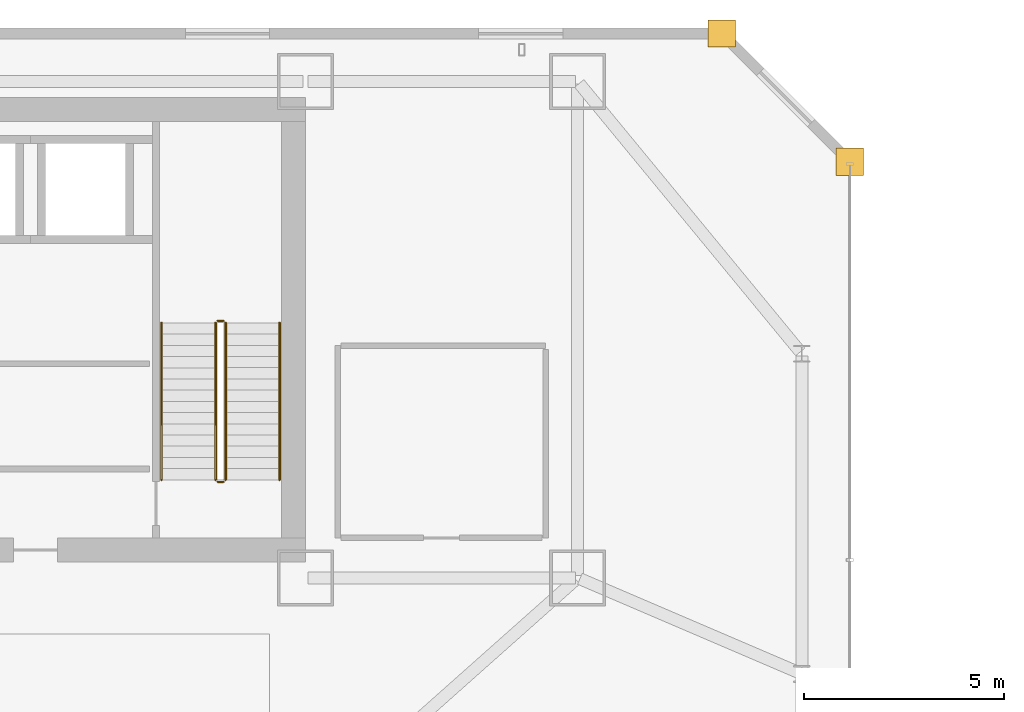
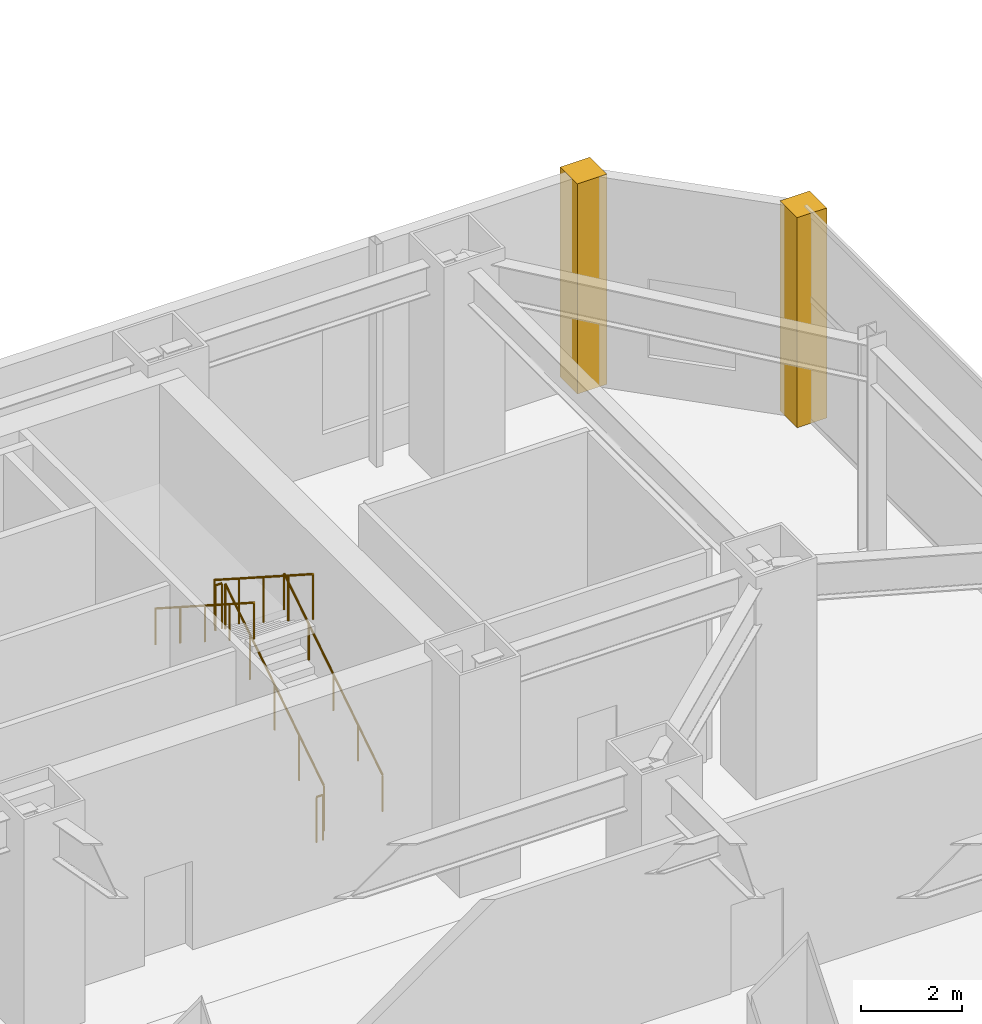
# One storey, part 48 of 51: 6 railings, 2 coverings.
"""IFC4 building model written with IfcOpenShell, lengths in metres."""

import ifcopenshell
import ifcopenshell.guid

model = None  # the IFC model being written
_history = None  # IfcOwnerHistory: only IFC2X3 demands one
_inside = {}  # id of a spatial element -> (the spatial element, [elements in it])
_under = {}  # id of a project, library or spatial element -> (it, [spatial elements below it])
_declared = {}  # id of a project -> (the project, [libraries it declares])
_typed = {}  # id of a type object -> (the type object, [elements of that type])
_made_of = {}  # id of a material, layer set ... -> (it, [elements and type objects made of it])


def new_model(schema):
    """Start an empty IFC model of exactly this schema.

    Asked for "IFC4X3", IfcOpenShell would pick the latest addendum, in which some entities
    have other attributes; the version numbers below select the first issue.
    IFC2X3 requires an IfcOwnerHistory on every rooted entity: one is made here for all.
    """
    global model, _history
    if schema == "IFC4X3":
        model = ifcopenshell.file(schema_version=(4, 3, 0, 0))
    else:
        model = ifcopenshell.file(schema=schema)
    _inside.clear()
    _under.clear()
    _declared.clear()
    _typed.clear()
    _made_of.clear()
    _history = None
    if model.schema == "IFC2X3":
        org = make("IfcOrganization", Name="unknown")
        user = make(
            "IfcPersonAndOrganization",
            ThePerson=make("IfcPerson", FamilyName="unknown"),
            TheOrganization=org,
        )
        app = make(
            "IfcApplication",
            ApplicationDeveloper=org,
            Version="unknown",
            ApplicationFullName="unknown",
            ApplicationIdentifier="unknown",
        )
        _history = make(
            "IfcOwnerHistory",
            OwningUser=user,
            OwningApplication=app,
            ChangeAction="ADDED",
            CreationDate=0,
        )
    return model


def make(cls, **values):
    """One entity of the class cls with the attributes given. An attribute that is None is left unset."""
    return model.create_entity(
        cls, **{name: value for name, value in values.items() if value is not None}
    )


def rooted(cls, **values):
    """An entity with a GlobalId (a new one), such as an element, a storey or a relation."""
    return make(cls, GlobalId=ifcopenshell.guid.new(), OwnerHistory=_history, **values)


def si_unit(unit_type, name, prefix=None):
    """IfcSIUnit, for example si_unit("LENGTHUNIT", "METRE", prefix="MILLI")."""
    return make("IfcSIUnit", UnitType=unit_type, Prefix=prefix, Name=name)


def assignment(units):
    """IfcUnitAssignment: the units of a project."""
    return None if units is None else make("IfcUnitAssignment", Units=units)


def point(xyz):
    """IfcCartesianPoint."""
    return None if xyz is None else make("IfcCartesianPoint", Coordinates=xyz)


def direction(xyz):
    """IfcDirection."""
    return None if xyz is None else make("IfcDirection", DirectionRatios=xyz)


def frame(location, z_axis=None, x_axis=None):
    """IfcAxis2Placement3D, a coordinate frame: its origin and axes. An axis left out is left unset."""
    return make(
        "IfcAxis2Placement3D",
        Location=point(location),
        Axis=direction(z_axis),
        RefDirection=direction(x_axis),
    )


def frame_2d(location, x_axis=None):
    """IfcAxis2Placement2D, a coordinate frame in the plane: its origin and x axis."""
    return make(
        "IfcAxis2Placement2D", Location=point(location), RefDirection=direction(x_axis)
    )


def origin():
    """The frame at (0, 0, 0) with its axes left unset."""
    return frame((0.0, 0.0, 0.0))


def origin_2d():
    """The frame at (0, 0) in the plane with its x axis left unset."""
    return frame_2d((0.0, 0.0))


def place(relative_to, where):
    """IfcLocalPlacement: puts the frame where relative to a parent placement (None: the world)."""
    return make(
        "IfcLocalPlacement", PlacementRelTo=relative_to, RelativePlacement=where
    )


def context(
    kind, dimensions, precision=None, world=None, true_north=None, identifier=None
):
    """IfcGeometricRepresentationContext, for example the 3D "Model" context."""
    return make(
        "IfcGeometricRepresentationContext",
        ContextIdentifier=identifier,
        ContextType=kind,
        CoordinateSpaceDimension=dimensions,
        Precision=precision,
        WorldCoordinateSystem=world,
        TrueNorth=true_north,
    )


def subcontext(parent, identifier, kind, view, scale=None):
    """IfcGeometricRepresentationSubContext, for example "Body" below "Model"."""
    return make(
        "IfcGeometricRepresentationSubContext",
        ContextIdentifier=identifier,
        ContextType=kind,
        ParentContext=parent,
        TargetScale=scale,
        TargetView=view,
    )


def project(units=None, contexts=None):
    """IfcProject with its units and contexts."""
    return rooted(
        "IfcProject",
        Name="project",
        RepresentationContexts=contexts,
        UnitsInContext=assignment(units),
    )


def spatial(cls, under=None, at=None, **own):
    """A site, building, storey or space (cls), placed at a placement, below another one or the project."""
    s = rooted(cls, ObjectPlacement=at, **own)
    if under is not None:
        _under.setdefault(under.id(), (under, []))[1].append(s)
    return s


def polyline(points):
    """IfcPolyline through the points."""
    return make("IfcPolyline", Points=[point(p) for p in points])


def profile(cls, at=None, kind="AREA", **sizes):
    """A parametric profile (cls). Its sizes go by their IFC names, for example OverallWidth=200.0."""
    return make(cls, ProfileType=kind, Position=at, **sizes)


def circle(**sizes):
    """IfcCircleProfileDef."""
    return profile("IfcCircleProfileDef", **sizes)


def outline(outer, holes=None, kind="AREA"):
    """IfcArbitraryClosedProfileDef: a profile drawn as a closed curve; with holes, ...WithVoids."""
    if holes is None:
        return make("IfcArbitraryClosedProfileDef", ProfileType=kind, OuterCurve=outer)
    return make(
        "IfcArbitraryProfileDefWithVoids",
        ProfileType=kind,
        OuterCurve=outer,
        InnerCurves=holes,
    )


def extrude(swept, where, along, depth):
    """IfcExtrudedAreaSolid: the profile swept, set in the frame where, extruded along a direction by depth."""
    return make(
        "IfcExtrudedAreaSolid",
        SweptArea=swept,
        Position=where,
        ExtrudedDirection=direction(along),
        Depth=depth,
    )


def shape(context_of_items, identifier, shape_type, items):
    """IfcShapeRepresentation: the items that make up one representation, for example the "Body"."""
    return make(
        "IfcShapeRepresentation",
        ContextOfItems=context_of_items,
        RepresentationIdentifier=identifier,
        RepresentationType=shape_type,
        Items=items,
    )


def material(Name=None, Category=None):
    """IfcMaterial."""
    return make("IfcMaterial", Name=Name, Category=Category)


def layer(
    of_material, thickness, ventilated=None, Name=None, Category=None, Priority=None
):
    """IfcMaterialLayer: one layer of a wall or slab, of a material (None: an air gap)."""
    return make(
        "IfcMaterialLayer",
        Material=of_material,
        LayerThickness=thickness,
        IsVentilated=ventilated,
        Name=Name,
        Category=Category,
        Priority=Priority,
    )


def layer_set(layers, Name=None):
    """IfcMaterialLayerSet."""
    return make("IfcMaterialLayerSet", MaterialLayers=layers, LayerSetName=Name)


def made_of(thing, what):
    """Note that an element or type object is made of a material, layer set ...; save() writes the relation."""
    if what is not None:
        _made_of.setdefault(what.id(), (what, []))[1].append(thing)
    return thing


def type_object(cls, material=None, **own):
    """A type object (cls), such as IfcWallType, which elements share."""
    return made_of(rooted(cls, **own), material)


def element(
    cls,
    number,
    at=None,
    inside=None,
    cuts=None,
    type_object=None,
    material=None,
    context=None,
    identifier="Body",
    shape_type=None,
    held_by="IfcProductDefinitionShape",
    body=None,
    shapes=None,
    **own,
):
    """One element of the class cls, such as IfcWall. Its Tag is "e" and its number.

    at: its placement. inside: the storey or other place that contains it. cuts: it is an
    opening in that element (IfcRelVoidsElement). A single representation is given by context,
    identifier, shape_type and body (its items); several are given by shapes. held_by: the class
    of the entity that holds the representations. save() writes the other relations.
    """
    e = rooted(cls, Tag="e%d" % number, ObjectPlacement=at, **own)
    if body is not None:
        shapes = [shape(context, identifier, shape_type, body)]
    if shapes is not None:
        e.Representation = make(held_by, Representations=shapes)
    if inside is not None:
        _inside.setdefault(inside.id(), (inside, []))[1].append(e)
    if cuts is not None:
        rooted(
            "IfcRelVoidsElement", RelatingBuildingElement=cuts, RelatedOpeningElement=e
        )
    if type_object is not None:
        _typed.setdefault(type_object.id(), (type_object, []))[1].append(e)
    return made_of(e, material)


def aggregate(whole, parts):
    """IfcRelAggregates: a whole, such as a stair, and the parts it consists of."""
    return rooted("IfcRelAggregates", RelatingObject=whole, RelatedObjects=parts)


def save(model, path):
    """Write the relations noted so far, then the file.

    IfcRelAggregates (storeys below a building ...), IfcRelContainedInSpatialStructure (elements
    in a storey), IfcRelDefinesByType, IfcRelAssociatesMaterial and IfcRelDeclares: one each for
    every whole, place, type object, material and project.
    """
    for whole, parts in _under.values():
        aggregate(whole, parts)
    for where, things in _inside.values():
        rooted(
            "IfcRelContainedInSpatialStructure",
            RelatedElements=things,
            RelatingStructure=where,
        )
    for kind, things in _typed.values():
        rooted("IfcRelDefinesByType", RelatedObjects=things, RelatingType=kind)
    for what, things in _made_of.values():
        rooted("IfcRelAssociatesMaterial", RelatedObjects=things, RelatingMaterial=what)
    for by, libraries in _declared.values():
        rooted("IfcRelDeclares", RelatingContext=by, RelatedDefinitions=libraries)
    model.write(path)


model = new_model("IFC4")

# Units and contexts
model_context = context("Model", 3, precision=1e-05, world=origin(), true_north=direction((0.0, 1.0)))
body_context = subcontext(model_context, "Body", "Model", "MODEL_VIEW")
ifc_project = project(units=[si_unit("LENGTHUNIT", "METRE"), si_unit("AREAUNIT", "SQUARE_METRE"), si_unit("VOLUMEUNIT", "CUBIC_METRE"), si_unit("PLANEANGLEUNIT", "RADIAN"), si_unit("MASSUNIT", "GRAM", prefix="KILO")], contexts=[model_context])

# Site, building, storey
site_placement = place(None, origin())
site = spatial("IfcSite", under=ifc_project, at=site_placement, CompositionType="ELEMENT")
building_placement = place(site_placement, origin())
building = spatial("IfcBuilding", under=site, at=building_placement, Name="Saevonmaru Cultural Tower", CompositionType="ELEMENT")
storey_placement = place(building_placement, frame((0.0, 0.0, 6.0)))
storey = spatial("IfcBuildingStorey", under=building, at=storey_placement, Name="L01", CompositionType="ELEMENT", Elevation=6.0)

# Coverings
ifc_material_1 = material(Name="Satin Bronze Anodised Aluminium", Category="aluminium")
ifc_layer = layer(ifc_material_1, 0.679931640625, Name="Satin Bronze Anodised Aluminium")
ifc_layer_set = layer_set([ifc_layer], Name="Satin Bronze Anodised Aluminium")
covering_type = type_object("IfcCoveringType", Name="CV-CORNER-CLAD", PredefinedType="CLADDING", material=ifc_layer_set)
covering_1_placement = place(storey_placement, origin())
element("IfcCovering", 1, at=covering_1_placement, inside=storey, type_object=covering_type, Name="L01 Podium Bronze Corner Cladding Pier 5", PredefinedType="CLADDING", context=body_context, shape_type="SweptSolid", body=[
    extrude(outline(polyline([(59.659912109375, 52.4599609375), (60.340087890625, 52.4599609375), (60.340087890625, 53.139892578125), (59.659912109375, 53.139892578125), (59.659912109375, 52.4599609375)])), origin(), (0.0, 0.0, 1.0), 5.10009765625),
])
covering_2_placement = place(storey_placement, origin())
element("IfcCovering", 2, at=covering_2_placement, inside=storey, type_object=covering_type, Name="L01 Podium Bronze Corner Cladding Pier 6", PredefinedType="CLADDING", context=body_context, shape_type="SweptSolid", body=[
    extrude(outline(polyline([(56.4599609375, 55.659912109375), (57.139892578125, 55.659912109375), (57.139892578125, 56.340087890625), (56.4599609375, 56.340087890625), (56.4599609375, 55.659912109375)])), origin(), (0.0, 0.0, 1.0), 5.10009765625),
])

# Railings
ifc_material_2 = material(Name="Architectural Painted Steel", Category="steel")
railing_type_1 = type_object("IfcRailingType", Name="RL-STAIR-GUARD", PredefinedType="GUARDRAIL", material=ifc_material_2)
railing_1_placement = place(storey_placement, frame((44.39990234375, 44.85009765625, 0.179931640625)))
element("IfcRailing", 3, at=railing_1_placement, inside=storey, type_object=railing_type_1, Name="L01 ST-2 stair guard 1", PredefinedType="GUARDRAIL", context=body_context, shape_type="SweptSolid", body=[
    extrude(circle(Radius=0.02392578125, at=origin_2d()), frame((0.0, 0.0, 1.09619140625), z_axis=(0.0, 0.841171666519, 0.540768182723), x_axis=(-1.0, 0.0, 0.0)), (0.0, 0.0, 1.0), 4.66015625),
    extrude(circle(Radius=0.02099609375, at=origin_2d()), origin(), (0.0, 0.0, 1.0), 1.072021484375),
    extrude(circle(Radius=0.02099609375, at=origin_2d()), frame((0.0, 0.97998046875, 0.6298828125)), (0.0, 0.0, 1.0), 1.072021484375),
    extrude(circle(Radius=0.02099609375, at=origin_2d()), frame((0.0, 1.9599609375, 1.260009765625)), (0.0, 0.0, 1.0), 1.072021484375),
    extrude(circle(Radius=0.02099609375, at=origin_2d()), frame((0.0, 2.93994140625, 1.89013671875)), (0.0, 0.0, 1.0), 1.072021484375),
    extrude(circle(Radius=0.02099609375, at=origin_2d()), frame((0.0, 3.919921875, 2.52001953125)), (0.0, 0.0, 1.0), 1.072021484375),
])
railing_2_placement = place(storey_placement, frame((44.35009765625, 48.820068359375, 2.699951171875)))
element("IfcRailing", 4, at=railing_2_placement, inside=storey, type_object=railing_type_1, Name="L01 ST-2 stair guard 2", PredefinedType="GUARDRAIL", context=body_context, shape_type="SweptSolid", body=[
    extrude(circle(Radius=0.02392578125, at=origin_2d()), frame((0.0, 0.0, 1.09619140625), z_axis=(-1.0, 0.0, 0.0), x_axis=(0.0, -1.0, 0.0)), (0.0, 0.0, 1.0), 0.150146484375),
    extrude(circle(Radius=0.02099609375, at=origin_2d()), origin(), (0.0, 0.0, 1.0), 1.072021484375),
    extrude(circle(Radius=0.02099609375, at=origin_2d()), frame((-0.150146484375, 0.0, 0.0)), (0.0, 0.0, 1.0), 1.072021484375),
])
railing_3_placement = place(storey_placement, frame((44.14990234375, 48.77001953125, 2.8798828125)))
element("IfcRailing", 5, at=railing_3_placement, inside=storey, type_object=railing_type_1, Name="L01 ST-2 stair guard 3", PredefinedType="GUARDRAIL", context=body_context, shape_type="SweptSolid", body=[
    extrude(circle(Radius=0.02392578125, at=origin_2d()), frame((0.0, 0.0, 1.09619140625), z_axis=(0.0, -0.841171666519, 0.540768182723), x_axis=(1.0, 0.0, 0.0)), (0.0, 0.0, 1.0), 4.66015625),
    extrude(circle(Radius=0.02099609375, at=origin_2d()), origin(), (0.0, 0.0, 1.0), 1.072021484375),
    extrude(circle(Radius=0.02099609375, at=origin_2d()), frame((0.0, -0.97998046875, 0.6298828125)), (0.0, 0.0, 1.0), 1.072021484375),
    extrude(circle(Radius=0.02099609375, at=origin_2d()), frame((0.0, -1.9599609375, 1.260009765625)), (0.0, 0.0, 1.0), 1.072021484375),
    extrude(circle(Radius=0.02099609375, at=origin_2d()), frame((0.0, -2.93994140625, 1.89013671875)), (0.0, 0.0, 1.0), 1.072021484375),
    extrude(circle(Radius=0.02099609375, at=origin_2d()), frame((0.0, -3.919921875, 2.52001953125)), (0.0, 0.0, 1.0), 1.072021484375),
])
railing_4_placement = place(storey_placement, frame((44.35009765625, 44.800048828125, 0.0)))
element("IfcRailing", 6, at=railing_4_placement, inside=storey, type_object=railing_type_1, Name="L01 ST-2 stair guard 4", PredefinedType="GUARDRAIL", context=body_context, shape_type="SweptSolid", body=[
    extrude(circle(Radius=0.02392578125, at=origin_2d()), frame((0.0, 0.0, 1.09619140625), z_axis=(-1.0, 0.0, 0.0), x_axis=(0.0, -1.0, 0.0)), (0.0, 0.0, 1.0), 0.150146484375),
    extrude(circle(Radius=0.02099609375, at=origin_2d()), origin(), (0.0, 0.0, 1.0), 1.072021484375),
    extrude(circle(Radius=0.02099609375, at=origin_2d()), frame((-0.150146484375, 0.0, 0.0)), (0.0, 0.0, 1.0), 1.072021484375),
])
railing_type_2 = type_object("IfcRailingType", Name="RL-STAIR-HANDRAIL", PredefinedType="HANDRAIL", material=ifc_material_1)
railing_5_placement = place(storey_placement, frame((45.75, 44.85009765625, 0.179931640625)))
element("IfcRailing", 7, at=railing_5_placement, inside=storey, type_object=railing_type_2, Name="L01 ST-2 stair handrail 1", PredefinedType="HANDRAIL", context=body_context, shape_type="SweptSolid", body=[
    extrude(circle(Radius=0.02392578125, at=origin_2d()), frame((0.0, 0.0, 0.8759765625), z_axis=(0.0, 0.841171666519, 0.540768182723), x_axis=(-1.0, 0.0, 0.0)), (0.0, 0.0, 1.0), 4.66015625),
    extrude(circle(Radius=0.02099609375, at=origin_2d()), origin(), (0.0, 0.0, 1.0), 0.851806640625),
    extrude(circle(Radius=0.02099609375, at=origin_2d()), frame((0.0, 0.97998046875, 0.6298828125)), (0.0, 0.0, 1.0), 0.851806640625),
    extrude(circle(Radius=0.02099609375, at=origin_2d()), frame((0.0, 1.9599609375, 1.260009765625)), (0.0, 0.0, 1.0), 0.851806640625),
    extrude(circle(Radius=0.02099609375, at=origin_2d()), frame((0.0, 2.93994140625, 1.89013671875)), (0.0, 0.0, 1.0), 0.851806640625),
    extrude(circle(Radius=0.02099609375, at=origin_2d()), frame((0.0, 3.919921875, 2.52001953125)), (0.0, 0.0, 1.0), 0.851806640625),
])
railing_6_placement = place(storey_placement, frame((42.800048828125, 48.77001953125, 2.8798828125)))
element("IfcRailing", 8, at=railing_6_placement, inside=storey, type_object=railing_type_2, Name="L01 ST-2 stair handrail 2", PredefinedType="HANDRAIL", context=body_context, shape_type="SweptSolid", body=[
    extrude(circle(Radius=0.02392578125, at=origin_2d()), frame((0.0, 0.0, 0.8759765625), z_axis=(0.0, -0.841171666519, 0.540768182723), x_axis=(1.0, 0.0, 0.0)), (0.0, 0.0, 1.0), 4.66015625),
    extrude(circle(Radius=0.02099609375, at=origin_2d()), origin(), (0.0, 0.0, 1.0), 0.851806640625),
    extrude(circle(Radius=0.02099609375, at=origin_2d()), frame((0.0, -0.97998046875, 0.6298828125)), (0.0, 0.0, 1.0), 0.851806640625),
    extrude(circle(Radius=0.02099609375, at=origin_2d()), frame((0.0, -1.9599609375, 1.260009765625)), (0.0, 0.0, 1.0), 0.851806640625),
    extrude(circle(Radius=0.02099609375, at=origin_2d()), frame((0.0, -2.93994140625, 1.89013671875)), (0.0, 0.0, 1.0), 0.851806640625),
    extrude(circle(Radius=0.02099609375, at=origin_2d()), frame((0.0, -3.919921875, 2.52001953125)), (0.0, 0.0, 1.0), 0.851806640625),
])

save(model, "model.ifc")
